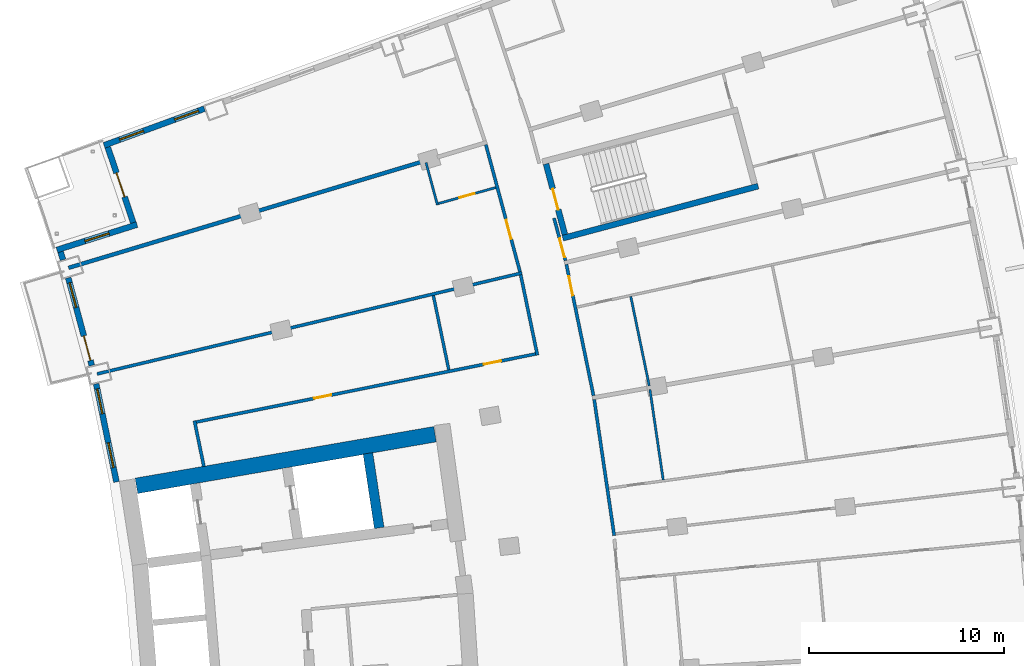
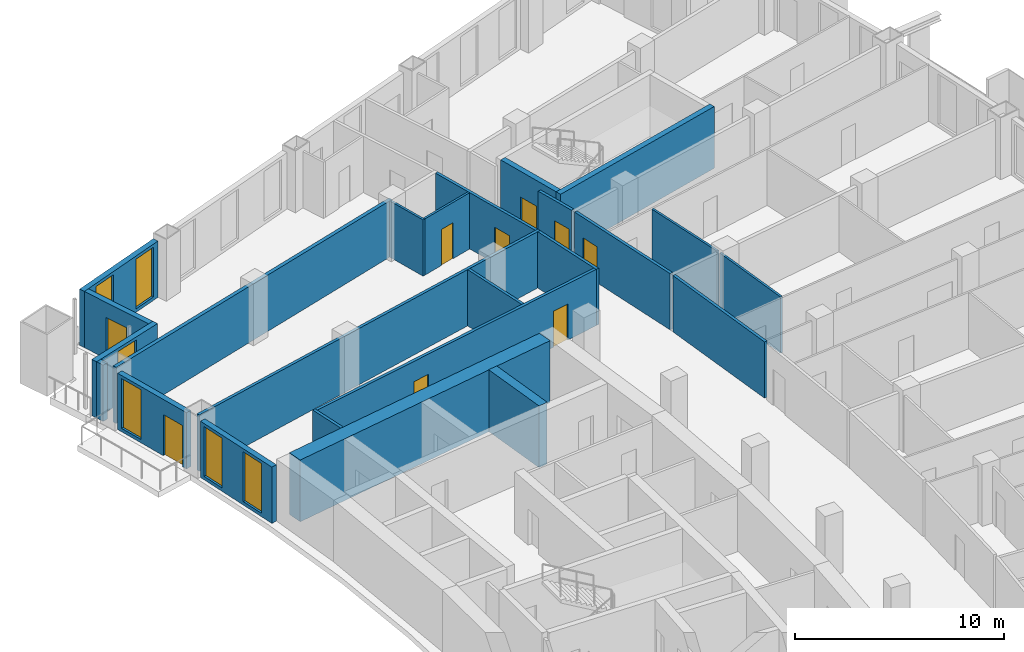
# One storey, part 19 of 25: 24 walls, 9 doors, 6 windows, 15 openings.
"""IFC4 building model written with IfcOpenShell, lengths in metres."""

from ifc_helpers import new_model, si_unit, direction, frame, frame_2d, origin, place, context, subcontext, project, spatial, rectangle, extrude, material, layer, layer_set, type_object, element, fill, save


model = new_model("IFC4")

# Units and contexts
model_context = context("Model", 3, precision=1e-05, world=origin(), true_north=direction((0.0, 1.0)))
body_context = subcontext(model_context, "Body", "Model", "MODEL_VIEW")
ifc_project = project(units=[si_unit("LENGTHUNIT", "METRE"), si_unit("AREAUNIT", "SQUARE_METRE"), si_unit("VOLUMEUNIT", "CUBIC_METRE"), si_unit("PLANEANGLEUNIT", "RADIAN"), si_unit("MASSUNIT", "GRAM", prefix="KILO")], contexts=[model_context])

# Site, building, storey
site_placement = place(None, origin())
site = spatial("IfcSite", under=ifc_project, at=site_placement, CompositionType="ELEMENT")
building_placement = place(site_placement, origin())
building = spatial("IfcBuilding", under=site, at=building_placement, Name="Alderwake Tower", CompositionType="ELEMENT")
storey_placement = place(building_placement, frame((0.0, 0.0, 86.0)))
storey = spatial("IfcBuildingStorey", under=building, at=storey_placement, Name="L20", CompositionType="ELEMENT", Elevation=86.0)

# Walls
ifc_material_1 = material(Name="Concrete C70/85", Category="concrete")
ifc_layer_1 = layer(ifc_material_1, 0.800048828125)
ifc_layer_set_1 = layer_set([ifc_layer_1], Name="Core wall outer 800 C70-85")
wall_type_1 = type_object("IfcWallType", Name="Core wall outer 800 C70-85", PredefinedType="SHEAR", material=ifc_layer_set_1)
wall_1_placement = place(storey_placement, frame((15.900146484375, 77.577880859375, 0.0), z_axis=(0.0, 0.0, 1.0), x_axis=(0.985386601125, 0.170332751763, 0.0)))
element("IfcWall", 1, at=wall_1_placement, inside=storey, type_object=wall_type_1, Name="Core wall CW.054", PredefinedType="SHEAR", context=body_context, shape_type="SweptSolid", body=[
    extrude(rectangle(XDim=15.531494140625, YDim=0.800048828125, at=frame_2d((7.765625, 0.0))), origin(), (0.0, 0.0, 1.0), 3.60009765625),
])
ifc_material_2 = material(Name="Concrete C70/85", Category="concrete")
ifc_layer_2 = layer(ifc_material_2, 0.5)
ifc_layer_set_2 = layer_set([ifc_layer_2], Name="Core wall spine 500 C70-85")
wall_type_2 = type_object("IfcWallType", Name="Core wall spine 500 C70-85", PredefinedType="SHEAR", material=ifc_layer_set_2)
wall_2_placement = place(storey_placement, frame((28.34423828125, 75.4228515625, 0.0), z_axis=(0.0, 0.0, 1.0), x_axis=(-0.14943460482, 0.988771611082, 0.0)))
element("IfcWall", 2, at=wall_2_placement, inside=storey, type_object=wall_type_2, Name="Core wall CW.001", PredefinedType="SHEAR", context=body_context, shape_type="SweptSolid", body=[
    extrude(rectangle(XDim=3.8623046875, YDim=0.5, at=frame_2d((1.93115234375, 0.0))), origin(), (0.0, 0.0, 1.0), 3.60009765625),
])
ifc_material_3 = material(Name="Concrete C70/85", Category="concrete")
ifc_layer_3 = layer(ifc_material_3, 0.300048828125)
ifc_layer_set_3 = layer_set([ifc_layer_3], Name="Core wall stair enclosure 300 C70-85")
wall_type_3 = type_object("IfcWallType", Name="Core wall stair enclosure 300 C70-85", PredefinedType="SHEAR", material=ifc_layer_set_3)
wall_3_placement = place(storey_placement, frame((37.75390625, 90.268798828125, 0.0), z_axis=(0.0, 0.0, 1.0), x_axis=(0.966309214305, 0.257383958996, 0.0)))
element("IfcWall", 3, at=wall_3_placement, inside=storey, type_object=wall_type_3, Name="Core wall CW.084", PredefinedType="SHEAR", context=body_context, shape_type="SweptSolid", body=[
    extrude(rectangle(XDim=10.360107421875, YDim=0.300048828125, at=frame_2d((5.18017578125, 0.0))), origin(), (0.0, 0.0, 1.0), 3.60009765625),
])

# Wall, opening, door
wall_4_placement = place(storey_placement, frame((37.8603515625, 90.452392578125, 0.0), z_axis=(0.0, 0.0, 1.0), x_axis=(-0.257411420208, 0.966301899381, 0.0)))
wall_4 = element("IfcWall", 4, at=wall_4_placement, inside=storey, type_object=wall_type_3, Name="Core wall CW.083", PredefinedType="SHEAR", context=body_context, shape_type="SweptSolid", body=[
    extrude(rectangle(XDim=3.750244140625, YDim=0.300048828125, at=frame_2d((1.875, 0.0))), origin(), (0.0, 0.0, 1.0), 3.60009765625),
])
opening_1_placement = place(wall_4_placement, frame((1.324951171875, 0.0, 0.0)))
opening_1 = element("IfcOpeningElement", 5, at=opening_1_placement, cuts=wall_4, Name="Opening C062", PredefinedType="OPENING", context=body_context, shape_type="SweptSolid", body=[
    extrude(rectangle(XDim=1.10009765625, YDim=2.10009765625, at=frame_2d((0.550048828125, 1.050048828125))), frame((0.0, 0.159912109375, 0.0), z_axis=(0.0, -1.0, 0.0), x_axis=(1.0, 0.0, 0.0)), (0.0, 0.0, 1.0), 0.320068359375),
])
ifc_material_4 = material(Name="Steel-framed fire door leaf", Category="steel")
door_type_1 = type_object("IfcDoorType", Name="Core stair door 1100 fire-rated", OperationType="SINGLE_SWING_LEFT", PredefinedType="DOOR", material=ifc_material_4)
door_1_placement = place(opening_1_placement, origin())
door_1 = element("IfcDoor", 6, at=door_1_placement, inside=storey, type_object=door_type_1, Name="Stair door", OperationType="SINGLE_SWING_LEFT", OverallHeight=2.10009765625, OverallWidth=1.10009765625, PredefinedType="DOOR", context=body_context, shape_type="SweptSolid", body=[
    extrude(rectangle(XDim=1.10009765625, YDim=2.10009765625, at=frame_2d((0.550048828125, 1.050048828125))), frame((0.0, 0.02490234375, 0.0), z_axis=(0.0, -1.0, 0.0), x_axis=(1.0, 0.0, 0.0)), (0.0, 0.0, 1.0), 0.050048828125),
])
fill(opening_1, door_1)

# Walls
ifc_material_5 = material(Name="Gypsum board on metal studs, rated")
ifc_layer_4 = layer(ifc_material_5, 0.159912109375)
ifc_layer_set_4 = layer_set([ifc_layer_4], Name="Corridor wall 160")
wall_type_4 = type_object("IfcWallType", Name="Corridor wall 160", PredefinedType="PARTITIONING", material=ifc_layer_set_4)
wall_5_placement = place(storey_placement, frame((13.884033203125, 83.31298828125, 0.0), z_axis=(0.0, 0.0, 1.0), x_axis=(0.972893462073, 0.231253781493, 0.0)))
element("IfcWall", 7, at=wall_5_placement, inside=storey, type_object=wall_type_4, Name="WL/L20/W16", PredefinedType="PARTITIONING", context=body_context, shape_type="SweptSolid", body=[
    extrude(rectangle(XDim=22.38037109375, YDim=0.159912109375, at=frame_2d((11.190185546875, 0.0))), origin(), (0.0, 0.0, 1.0), 3.280029296875),
])
wall_6_placement = place(storey_placement, frame((18.874755859375, 80.910400390625, 0.0), z_axis=(0.0, 0.0, 1.0), x_axis=(0.202312089075, -0.979321100873, 0.0)))
element("IfcWall", 8, at=wall_6_placement, inside=storey, type_object=wall_type_4, Name="WL/L20/W18", PredefinedType="PARTITIONING", context=body_context, shape_type="SweptSolid", body=[
    extrude(rectangle(XDim=2.39306640625, YDim=0.159912109375, at=frame_2d((1.196533203125, 0.0))), origin(), (0.0, 0.0, 1.0), 3.280029296875),
])

# Wall, opening, door
wall_7_placement = place(storey_placement, frame((35.55908203125, 88.54736328125, 0.0), z_axis=(0.0, 0.0, 1.0), x_axis=(-0.259373900693, 0.965776982351, 0.0)))
wall_7 = element("IfcWall", 9, at=wall_7_placement, inside=storey, type_object=wall_type_4, Name="WL/L20/W23", PredefinedType="PARTITIONING", context=body_context, shape_type="SweptSolid", body=[
    extrude(rectangle(XDim=6.7470703125, YDim=0.159912109375, at=frame_2d((3.37353515625, 0.0))), origin(), (0.0, 0.0, 1.0), 3.280029296875),
])
opening_2_placement = place(wall_7_placement, frame((1.74609375, 0.0, 0.0)))
opening_2 = element("IfcOpeningElement", 10, at=opening_2_placement, cuts=wall_7, Name="Opening R05-U11.1", PredefinedType="OPENING", context=body_context, shape_type="SweptSolid", body=[
    extrude(rectangle(XDim=1.0, YDim=2.10009765625, at=frame_2d((0.5, 1.050048828125))), frame((0.0, 0.08984375, 0.0), z_axis=(0.0, -1.0, 0.0), x_axis=(1.0, 0.0, 0.0)), (0.0, 0.0, 1.0), 0.179931640625),
])
ifc_material_6 = material(Name="Solid timber leaf in steel frame", Category="steel")
door_type_2 = type_object("IfcDoorType", Name="Flat entrance door 1000 fire-rated", OperationType="SINGLE_SWING_LEFT", PredefinedType="DOOR", material=ifc_material_6)
door_2_placement = place(opening_2_placement, origin())
door_2 = element("IfcDoor", 11, at=door_2_placement, inside=storey, type_object=door_type_2, Name="DR/L20/U11.1", OperationType="SINGLE_SWING_LEFT", OverallHeight=2.10009765625, OverallWidth=1.0, PredefinedType="DOOR", context=body_context, shape_type="SweptSolid", body=[
    extrude(rectangle(XDim=1.0, YDim=2.10009765625, at=frame_2d((0.5, 1.050048828125))), frame((0.0, 0.02490234375, 0.0), z_axis=(0.0, -1.0, 0.0), x_axis=(1.0, 0.0, 0.0)), (0.0, 0.0, 1.0), 0.050048828125),
])
fill(opening_2, door_2)

# Wall
wall_8_placement = place(storey_placement, frame((35.59619140625, 88.3916015625, 0.0), z_axis=(0.0, 0.0, 1.0), x_axis=(0.20329833965, -0.979116839348, 0.0)))
element("IfcWall", 12, at=wall_8_placement, inside=storey, type_object=wall_type_4, Name="WL/L20/W25", PredefinedType="PARTITIONING", context=body_context, shape_type="SweptSolid", body=[
    extrude(rectangle(XDim=4.206787109375, YDim=0.159912109375, at=frame_2d((2.103515625, 0.0))), origin(), (0.0, 0.0, 1.0), 3.280029296875),
])

# Wall, openings, doors
wall_9_placement = place(storey_placement, frame((18.969482421875, 80.84765625, 0.0), z_axis=(0.0, 0.0, 1.0), x_axis=(0.980470914622, 0.196664144112, 0.0)))
wall_9 = element("IfcWall", 13, at=wall_9_placement, inside=storey, type_object=wall_type_4, Name="WL/L20/W29", PredefinedType="PARTITIONING", context=body_context, shape_type="SweptSolid", body=[
    extrude(rectangle(XDim=17.733642578125, YDim=0.159912109375, at=frame_2d((8.86669921875, 0.0))), origin(), (0.0, 0.0, 1.0), 3.280029296875),
])
opening_3_placement = place(wall_9_placement, frame((6.156982421875, 0.0, 0.0)))
opening_3 = element("IfcOpeningElement", 14, at=opening_3_placement, cuts=wall_9, Name="Opening R05-SBN1", PredefinedType="OPENING", context=body_context, shape_type="SweptSolid", body=[
    extrude(rectangle(XDim=0.89990234375, YDim=2.10009765625, at=frame_2d((0.449951171875, 1.050048828125))), frame((0.0, 0.08984375, 0.0), z_axis=(0.0, -1.0, 0.0), x_axis=(1.0, 0.0, 0.0)), (0.0, 0.0, 1.0), 0.179931640625),
])
opening_4_placement = place(wall_9_placement, frame((15.0234375, 0.0, 0.0)))
opening_4 = element("IfcOpeningElement", 15, at=opening_4_placement, cuts=wall_9, Name="Opening R05-SBN2", PredefinedType="OPENING", context=body_context, shape_type="SweptSolid", body=[
    extrude(rectangle(XDim=0.89990234375, YDim=2.10009765625, at=frame_2d((0.449951171875, 1.050048828125))), frame((0.0, 0.08984375, 0.0), z_axis=(0.0, -1.0, 0.0), x_axis=(1.0, 0.0, 0.0)), (0.0, 0.0, 1.0), 0.179931640625),
])
ifc_material_7 = material(Name="Painted timber leaf", Category="wood")
door_type_3 = type_object("IfcDoorType", Name="Room door 900", OperationType="SINGLE_SWING_LEFT", PredefinedType="DOOR", material=ifc_material_7)
door_3_placement = place(opening_3_placement, origin())
door_3 = element("IfcDoor", 16, at=door_3_placement, inside=storey, type_object=door_type_3, Name="DR/L20/SBN1", OperationType="SINGLE_SWING_LEFT", OverallHeight=2.10009765625, OverallWidth=0.89990234375, PredefinedType="DOOR", context=body_context, shape_type="SweptSolid", body=[
    extrude(rectangle(XDim=0.89990234375, YDim=2.10009765625, at=frame_2d((0.449951171875, 1.050048828125))), frame((0.0, 0.02490234375, 0.0), z_axis=(0.0, -1.0, 0.0), x_axis=(1.0, 0.0, 0.0)), (0.0, 0.0, 1.0), 0.050048828125),
])
fill(opening_3, door_3)
door_4_placement = place(opening_4_placement, origin())
door_4 = element("IfcDoor", 17, at=door_4_placement, inside=storey, type_object=door_type_3, Name="DR/L20/SBN2", OperationType="SINGLE_SWING_LEFT", OverallHeight=2.10009765625, OverallWidth=0.89990234375, PredefinedType="DOOR", context=body_context, shape_type="SweptSolid", body=[
    extrude(rectangle(XDim=0.89990234375, YDim=2.10009765625, at=frame_2d((0.449951171875, 1.050048828125))), frame((0.0, 0.02490234375, 0.0), z_axis=(0.0, -1.0, 0.0), x_axis=(1.0, 0.0, 0.0)), (0.0, 0.0, 1.0), 0.050048828125),
])
fill(opening_4, door_4)

# Wall, opening, door
wall_10_placement = place(storey_placement, frame((37.304931640625, 91.299072265625, 0.0), z_axis=(0.0, 0.0, 1.0), x_axis=(0.259946294884, -0.965623075416, 0.0)))
wall_10 = element("IfcWall", 18, at=wall_10_placement, inside=storey, type_object=wall_type_4, Name="WL/L20/W33", PredefinedType="PARTITIONING", context=body_context, shape_type="SweptSolid", body=[
    extrude(rectangle(XDim=2.255126953125, YDim=0.159912109375, at=frame_2d((1.12744140625, 0.0))), origin(), (0.0, 0.0, 1.0), 3.280029296875),
])
opening_5_placement = place(wall_10_placement, frame((1.083984375, 0.0, 0.0)))
opening_5 = element("IfcOpeningElement", 19, at=opening_5_placement, cuts=wall_10, Name="Opening R05-U02.1", PredefinedType="OPENING", context=body_context, shape_type="SweptSolid", body=[
    extrude(rectangle(XDim=1.0, YDim=2.10009765625, at=frame_2d((0.5, 1.050048828125))), frame((0.0, 0.08984375, 0.0), z_axis=(0.0, -1.0, 0.0), x_axis=(1.0, 0.0, 0.0)), (0.0, 0.0, 1.0), 0.179931640625),
])
door_5_placement = place(opening_5_placement, origin())
door_5 = element("IfcDoor", 20, at=door_5_placement, inside=storey, type_object=door_type_2, Name="DR/L20/U02.1", OperationType="SINGLE_SWING_LEFT", OverallHeight=2.10009765625, OverallWidth=1.0, PredefinedType="DOOR", context=body_context, shape_type="SweptSolid", body=[
    extrude(rectangle(XDim=1.0, YDim=2.10009765625, at=frame_2d((0.5, 1.050048828125))), frame((0.0, 0.02490234375, 0.0), z_axis=(0.0, -1.0, 0.0), x_axis=(1.0, 0.0, 0.0)), (0.0, 0.0, 1.0), 0.050048828125),
])
fill(opening_5, door_5)

wall_11_placement = place(storey_placement, frame((37.937255859375, 88.927001953125, 0.0), z_axis=(0.0, 0.0, 1.0), x_axis=(0.20241288737, -0.979300272147, 0.0)))
wall_11 = element("IfcWall", 21, at=wall_11_placement, inside=storey, type_object=wall_type_4, Name="WL/L20/W35", PredefinedType="PARTITIONING", context=body_context, shape_type="SweptSolid", body=[
    extrude(rectangle(XDim=6.870361328125, YDim=0.159912109375, at=frame_2d((3.43505859375, 0.0))), origin(), (0.0, 0.0, 1.0), 3.280029296875),
])
opening_6_placement = place(wall_11_placement, frame((0.62841796875, 0.0, 0.0)))
opening_6 = element("IfcOpeningElement", 22, at=opening_6_placement, cuts=wall_11, Name="Opening R05-U08.2", PredefinedType="OPENING", context=body_context, shape_type="SweptSolid", body=[
    extrude(rectangle(XDim=1.0, YDim=2.10009765625, at=frame_2d((0.5, 1.050048828125))), frame((0.0, 0.08984375, 0.0), z_axis=(0.0, -1.0, 0.0), x_axis=(1.0, 0.0, 0.0)), (0.0, 0.0, 1.0), 0.179931640625),
])
door_6_placement = place(opening_6_placement, origin())
door_6 = element("IfcDoor", 23, at=door_6_placement, inside=storey, type_object=door_type_2, Name="DR/L20/U08.2", OperationType="SINGLE_SWING_LEFT", OverallHeight=2.10009765625, OverallWidth=1.0, PredefinedType="DOOR", context=body_context, shape_type="SweptSolid", body=[
    extrude(rectangle(XDim=1.0, YDim=2.10009765625, at=frame_2d((0.5, 1.050048828125))), frame((0.0, 0.02490234375, 0.0), z_axis=(0.0, -1.0, 0.0), x_axis=(1.0, 0.0, 0.0)), (0.0, 0.0, 1.0), 0.050048828125),
])
fill(opening_6, door_6)

# Walls
wall_12_placement = place(storey_placement, frame((40.388671875, 75.02880859375, 0.0), z_axis=(0.0, 0.0, 1.0), x_axis=(-0.145585733575, 0.98934563939, 0.0)))
element("IfcWall", 24, at=wall_12_placement, inside=storey, type_object=wall_type_4, Name="WL/L20/W37", PredefinedType="PARTITIONING", context=body_context, shape_type="SweptSolid", body=[
    extrude(rectangle(XDim=7.04833984375, YDim=0.159912109375, at=frame_2d((3.524169921875, 0.0))), origin(), (0.0, 0.0, 1.0), 3.280029296875),
])
ifc_material_8 = material(Name="Precast concrete C50/60 spandrel panel", Category="concrete")
ifc_layer_5 = layer(ifc_material_8, 0.300048828125)
ifc_layer_set_5 = layer_set([ifc_layer_5], Name="External wall EW1 Precast concrete C50/60 spandrel")
wall_type_5 = type_object("IfcWallType", Name="External wall EW1 Precast concrete C50/60 spandrel", PredefinedType="SOLIDWALL", material=ifc_layer_set_5)
wall_13_placement = place(storey_placement, frame((12.01416015625, 89.5703125, 0.0), z_axis=(0.0, 0.0, 1.0), x_axis=(0.294567190983, -0.955630770746, 0.0)))
element("IfcWall", 25, at=wall_13_placement, inside=storey, type_object=wall_type_5, Name="External wall 32", PredefinedType="SOLIDWALL", context=body_context, shape_type="SweptSolid", body=[
    extrude(rectangle(XDim=0.427734375, YDim=0.300048828125, at=frame_2d((0.2138671875, 0.0))), origin(), (0.0, 0.0, 1.0), 3.280029296875),
])

# Wall, openings, door, window
wall_14_placement = place(storey_placement, frame((12.406494140625, 88.237548828125, 0.0), z_axis=(0.0, 0.0, 1.0), x_axis=(0.259468933642, -0.965751454814, 0.0)))
wall_14 = element("IfcWall", 26, at=wall_14_placement, inside=storey, type_object=wall_type_5, Name="External wall 33", PredefinedType="SOLIDWALL", context=body_context, shape_type="SweptSolid", body=[
    extrude(rectangle(XDim=4.65087890625, YDim=0.300048828125, at=frame_2d((2.325439453125, 0.0))), origin(), (0.0, 0.0, 1.0), 3.280029296875),
])
opening_7_placement = place(wall_14_placement, frame((0.26708984375, 0.0, 0.199951171875)))
opening_7 = element("IfcOpeningElement", 27, at=opening_7_placement, cuts=wall_14, Name="Opening W1", PredefinedType="OPENING", context=body_context, shape_type="SweptSolid", body=[
    extrude(rectangle(XDim=1.300048828125, YDim=2.89990234375, at=frame_2d((0.64990234375, 1.449951171875))), frame((0.0, 0.159912109375, 0.0), z_axis=(0.0, -1.0, 0.0), x_axis=(1.0, 0.0, 0.0)), (0.0, 0.0, 1.0), 0.320068359375),
])
opening_8_placement = place(wall_14_placement, frame((3.083984375, 0.0, 0.0)))
opening_8 = element("IfcOpeningElement", 28, at=opening_8_placement, cuts=wall_14, Name="Opening D14", PredefinedType="OPENING", context=body_context, shape_type="SweptSolid", body=[
    extrude(rectangle(XDim=1.300048828125, YDim=2.39990234375, at=frame_2d((0.64990234375, 1.199951171875))), frame((0.0, 0.159912109375, 0.0), z_axis=(0.0, -1.0, 0.0), x_axis=(1.0, 0.0, 0.0)), (0.0, 0.0, 1.0), 0.320068359375),
])
ifc_material_9 = material(Name="Bronze tinted glass in aluminium frame", Category="aluminium")
door_type_4 = type_object("IfcDoorType", Name="Balcony door BD sliding", OperationType="SLIDING_TO_LEFT", PredefinedType="DOOR", material=ifc_material_9)
door_7_placement = place(opening_8_placement, origin())
door_7 = element("IfcDoor", 29, at=door_7_placement, inside=storey, type_object=door_type_4, Name="Door D14", OperationType="SLIDING_TO_LEFT", OverallHeight=2.39990234375, OverallWidth=1.300048828125, PredefinedType="DOOR", context=body_context, shape_type="SweptSolid", body=[
    extrude(rectangle(XDim=1.300048828125, YDim=2.39990234375, at=frame_2d((0.64990234375, 1.199951171875))), frame((0.0, 0.02490234375, 0.0), z_axis=(0.0, -1.0, 0.0), x_axis=(1.0, 0.0, 0.0)), (0.0, 0.0, 1.0), 0.050048828125),
])
fill(opening_8, door_7)
ifc_material_10 = material(Name="Bronze tinted glass in aluminium frame", Category="aluminium")
window_type = type_object("IfcWindowType", Name="Window W1 tall fixed and vent", PartitioningType="DOUBLE_PANEL_VERTICAL", PredefinedType="WINDOW", material=ifc_material_10)
window_1_placement = place(opening_7_placement, origin())
window_1 = element("IfcWindow", 30, at=window_1_placement, inside=storey, type_object=window_type, Name="Window W1 tall fixed and vent", OverallHeight=2.89990234375, OverallWidth=1.300048828125, PartitioningType="DOUBLE_PANEL_VERTICAL", PredefinedType="WINDOW", context=body_context, shape_type="SweptSolid", body=[
    extrude(rectangle(XDim=1.300048828125, YDim=2.89990234375, at=frame_2d((0.64990234375, 1.449951171875))), frame((0.0, 0.030029296875, 0.0), z_axis=(0.0, -1.0, 0.0), x_axis=(1.0, 0.0, 0.0)), (0.0, 0.0, 1.0), 0.06005859375),
])
fill(opening_7, window_1)

# Wall, openings, windows
wall_15_placement = place(storey_placement, frame((13.83740234375, 82.803955078125, 0.0), z_axis=(0.0, 0.0, 1.0), x_axis=(0.202723539143, -0.979236011734, 0.0)))
wall_15 = element("IfcWall", 31, at=wall_15_placement, inside=storey, type_object=wall_type_5, Name="External wall 34", PredefinedType="SOLIDWALL", context=body_context, shape_type="SweptSolid", body=[
    extrude(rectangle(XDim=5.134033203125, YDim=0.300048828125, at=frame_2d((2.56689453125, 0.0))), origin(), (0.0, 0.0, 1.0), 3.280029296875),
])
opening_9_placement = place(wall_15_placement, frame((0.264892578125, 0.0, 0.199951171875)))
opening_9 = element("IfcOpeningElement", 32, at=opening_9_placement, cuts=wall_15, Name="Opening W1", PredefinedType="OPENING", context=body_context, shape_type="SweptSolid", body=[
    extrude(rectangle(XDim=1.300048828125, YDim=2.89990234375, at=frame_2d((0.64990234375, 1.449951171875))), frame((0.0, 0.159912109375, 0.0), z_axis=(0.0, -1.0, 0.0), x_axis=(1.0, 0.0, 0.0)), (0.0, 0.0, 1.0), 0.320068359375),
])
opening_10_placement = place(wall_15_placement, frame((3.077392578125, 0.0, 0.199951171875)))
opening_10 = element("IfcOpeningElement", 33, at=opening_10_placement, cuts=wall_15, Name="Opening W1", PredefinedType="OPENING", context=body_context, shape_type="SweptSolid", body=[
    extrude(rectangle(XDim=1.300048828125, YDim=2.89990234375, at=frame_2d((0.64990234375, 1.449951171875))), frame((0.0, 0.159912109375, 0.0), z_axis=(0.0, -1.0, 0.0), x_axis=(1.0, 0.0, 0.0)), (0.0, 0.0, 1.0), 0.320068359375),
])
window_2_placement = place(opening_9_placement, origin())
window_2 = element("IfcWindow", 34, at=window_2_placement, inside=storey, type_object=window_type, Name="Window W1 tall fixed and vent", OverallHeight=2.89990234375, OverallWidth=1.300048828125, PartitioningType="DOUBLE_PANEL_VERTICAL", PredefinedType="WINDOW", context=body_context, shape_type="SweptSolid", body=[
    extrude(rectangle(XDim=1.300048828125, YDim=2.89990234375, at=frame_2d((0.64990234375, 1.449951171875))), frame((0.0, 0.030029296875, 0.0), z_axis=(0.0, -1.0, 0.0), x_axis=(1.0, 0.0, 0.0)), (0.0, 0.0, 1.0), 0.06005859375),
])
fill(opening_9, window_2)
window_3_placement = place(opening_10_placement, origin())
window_3 = element("IfcWindow", 35, at=window_3_placement, inside=storey, type_object=window_type, Name="Window W1 tall fixed and vent", OverallHeight=2.89990234375, OverallWidth=1.300048828125, PartitioningType="DOUBLE_PANEL_VERTICAL", PredefinedType="WINDOW", context=body_context, shape_type="SweptSolid", body=[
    extrude(rectangle(XDim=1.300048828125, YDim=2.89990234375, at=frame_2d((0.64990234375, 1.449951171875))), frame((0.0, 0.030029296875, 0.0), z_axis=(0.0, -1.0, 0.0), x_axis=(1.0, 0.0, 0.0)), (0.0, 0.0, 1.0), 0.06005859375),
])
fill(opening_10, window_3)

ifc_material_11 = material(Name="Bronze metal cladding on lightweight framing")
ifc_layer_6 = layer(ifc_material_11, 0.300048828125)
ifc_layer_set_6 = layer_set([ifc_layer_6], Name="External wall EW2 bronze metal cladding")
wall_type_6 = type_object("IfcWallType", Name="External wall EW2 bronze metal cladding", PredefinedType="SOLIDWALL", material=ifc_layer_set_6)
wall_16_placement = place(storey_placement, frame((19.38427734375, 96.905517578125, 0.0), z_axis=(0.0, 0.0, 1.0), x_axis=(-0.939366897407, -0.342913738506, 0.0)))
wall_16 = element("IfcWall", 36, at=wall_16_placement, inside=storey, type_object=wall_type_6, Name="External wall 29", PredefinedType="SOLIDWALL", context=body_context, shape_type="SweptSolid", body=[
    extrude(rectangle(XDim=5.474365234375, YDim=0.300048828125, at=frame_2d((2.7373046875, 0.0))), origin(), (0.0, 0.0, 1.0), 3.280029296875),
])
opening_11_placement = place(wall_16_placement, frame((0.322998046875, 0.0, 0.199951171875)))
opening_11 = element("IfcOpeningElement", 37, at=opening_11_placement, cuts=wall_16, Name="Opening W1", PredefinedType="OPENING", context=body_context, shape_type="SweptSolid", body=[
    extrude(rectangle(XDim=1.300048828125, YDim=2.89990234375, at=frame_2d((0.64990234375, 1.449951171875))), frame((0.0, 0.159912109375, 0.0), z_axis=(0.0, -1.0, 0.0), x_axis=(1.0, 0.0, 0.0)), (0.0, 0.0, 1.0), 0.320068359375),
])
opening_12_placement = place(wall_16_placement, frame((3.32373046875, 0.0, 0.199951171875)))
opening_12 = element("IfcOpeningElement", 38, at=opening_12_placement, cuts=wall_16, Name="Opening W1", PredefinedType="OPENING", context=body_context, shape_type="SweptSolid", body=[
    extrude(rectangle(XDim=1.300048828125, YDim=2.89990234375, at=frame_2d((0.64990234375, 1.449951171875))), frame((0.0, 0.159912109375, 0.0), z_axis=(0.0, -1.0, 0.0), x_axis=(1.0, 0.0, 0.0)), (0.0, 0.0, 1.0), 0.320068359375),
])
window_4_placement = place(opening_11_placement, origin())
window_4 = element("IfcWindow", 39, at=window_4_placement, inside=storey, type_object=window_type, Name="Window W1 tall fixed and vent", OverallHeight=2.89990234375, OverallWidth=1.300048828125, PartitioningType="DOUBLE_PANEL_VERTICAL", PredefinedType="WINDOW", context=body_context, shape_type="SweptSolid", body=[
    extrude(rectangle(XDim=1.300048828125, YDim=2.89990234375, at=frame_2d((0.64990234375, 1.449951171875))), frame((0.0, 0.030029296875, 0.0), z_axis=(0.0, -1.0, 0.0), x_axis=(1.0, 0.0, 0.0)), (0.0, 0.0, 1.0), 0.06005859375),
])
fill(opening_11, window_4)
window_5_placement = place(opening_12_placement, origin())
window_5 = element("IfcWindow", 40, at=window_5_placement, inside=storey, type_object=window_type, Name="Window W1 tall fixed and vent", OverallHeight=2.89990234375, OverallWidth=1.300048828125, PartitioningType="DOUBLE_PANEL_VERTICAL", PredefinedType="WINDOW", context=body_context, shape_type="SweptSolid", body=[
    extrude(rectangle(XDim=1.300048828125, YDim=2.89990234375, at=frame_2d((0.64990234375, 1.449951171875))), frame((0.0, 0.030029296875, 0.0), z_axis=(0.0, -1.0, 0.0), x_axis=(1.0, 0.0, 0.0)), (0.0, 0.0, 1.0), 0.06005859375),
])
fill(opening_12, window_5)

# Wall, opening, door
wall_17_placement = place(storey_placement, frame((14.430908203125, 94.937744140625, 0.0), z_axis=(0.0, 0.0, 1.0), x_axis=(0.320379458656, -0.947289291859, 0.0)))
wall_17 = element("IfcWall", 41, at=wall_17_placement, inside=storey, type_object=wall_type_6, Name="External wall 30", PredefinedType="SOLIDWALL", context=body_context, shape_type="SweptSolid", body=[
    extrude(rectangle(XDim=4.08984375, YDim=0.300048828125, at=frame_2d((2.044921875, 0.0))), origin(), (0.0, 0.0, 1.0), 3.280029296875),
])
opening_13_placement = place(wall_17_placement, frame((1.39501953125, 0.0, 0.0)))
opening_13 = element("IfcOpeningElement", 42, at=opening_13_placement, cuts=wall_17, Name="Opening D13", PredefinedType="OPENING", context=body_context, shape_type="SweptSolid", body=[
    extrude(rectangle(XDim=1.300048828125, YDim=2.39990234375, at=frame_2d((0.64990234375, 1.199951171875))), frame((0.0, 0.159912109375, 0.0), z_axis=(0.0, -1.0, 0.0), x_axis=(1.0, 0.0, 0.0)), (0.0, 0.0, 1.0), 0.320068359375),
])
door_8_placement = place(opening_13_placement, origin())
door_8 = element("IfcDoor", 43, at=door_8_placement, inside=storey, type_object=door_type_4, Name="Door D13", OperationType="SLIDING_TO_LEFT", OverallHeight=2.39990234375, OverallWidth=1.300048828125, PredefinedType="DOOR", context=body_context, shape_type="SweptSolid", body=[
    extrude(rectangle(XDim=1.300048828125, YDim=2.39990234375, at=frame_2d((0.64990234375, 1.199951171875))), frame((0.0, 0.02490234375, 0.0), z_axis=(0.0, -1.0, 0.0), x_axis=(1.0, 0.0, 0.0)), (0.0, 0.0, 1.0), 0.050048828125),
])
fill(opening_13, door_8)

# Wall, opening, window
wall_18_placement = place(storey_placement, frame((15.932373046875, 90.966552734375, 0.0), z_axis=(0.0, 0.0, 1.0), x_axis=(-0.953473772386, -0.301475978103, 0.0)))
wall_18 = element("IfcWall", 44, at=wall_18_placement, inside=storey, type_object=wall_type_6, Name="External wall 31", PredefinedType="SOLIDWALL", context=body_context, shape_type="SweptSolid", body=[
    extrude(rectangle(XDim=4.305908203125, YDim=0.300048828125, at=frame_2d((2.15283203125, 0.0))), origin(), (0.0, 0.0, 1.0), 3.280029296875),
])
opening_14_placement = place(wall_18_placement, frame((1.5029296875, 0.0, 0.199951171875)))
opening_14 = element("IfcOpeningElement", 45, at=opening_14_placement, cuts=wall_18, Name="Opening W1", PredefinedType="OPENING", context=body_context, shape_type="SweptSolid", body=[
    extrude(rectangle(XDim=1.300048828125, YDim=2.89990234375, at=frame_2d((0.64990234375, 1.449951171875))), frame((0.0, 0.159912109375, 0.0), z_axis=(0.0, -1.0, 0.0), x_axis=(1.0, 0.0, 0.0)), (0.0, 0.0, 1.0), 0.320068359375),
])
window_6_placement = place(opening_14_placement, origin())
window_6 = element("IfcWindow", 46, at=window_6_placement, inside=storey, type_object=window_type, Name="Window W1 tall fixed and vent", OverallHeight=2.89990234375, OverallWidth=1.300048828125, PartitioningType="DOUBLE_PANEL_VERTICAL", PredefinedType="WINDOW", context=body_context, shape_type="SweptSolid", body=[
    extrude(rectangle(XDim=1.300048828125, YDim=2.89990234375, at=frame_2d((0.64990234375, 1.449951171875))), frame((0.0, 0.030029296875, 0.0), z_axis=(0.0, -1.0, 0.0), x_axis=(1.0, 0.0, 0.0)), (0.0, 0.0, 1.0), 0.06005859375),
])
fill(opening_14, window_6)

# Walls
ifc_material_12 = material(Name="Dense block masonry wall", Category="masonry")
ifc_layer_7 = layer(ifc_material_12, 0.199951171875)
ifc_layer_set_7 = layer_set([ifc_layer_7], Name="Party wall 200")
wall_type_7 = type_object("IfcWallType", Name="Party wall 200", PredefinedType="SOLIDWALL", material=ifc_layer_set_7)
wall_19_placement = place(storey_placement, frame((30.812744140625, 94.270751953125, 0.0), z_axis=(0.0, 0.0, 1.0), x_axis=(-0.957756965565, -0.287578849904, 0.0)))
element("IfcWall", 47, at=wall_19_placement, inside=storey, type_object=wall_type_7, Name="WL/L20/W01", PredefinedType="SOLIDWALL", context=body_context, shape_type="SweptSolid", body=[
    extrude(rectangle(XDim=19.20068359375, YDim=0.199951171875, at=frame_2d((9.600341796875, 0.0))), origin(), (0.0, 0.0, 1.0), 3.280029296875),
])
ifc_material_13 = material(Name="Gypsum shaft wall system, rated")
ifc_layer_8 = layer(ifc_material_13, 0.14990234375)
ifc_layer_set_8 = layer_set([ifc_layer_8], Name="Riser and shaft wall 150")
wall_type_8 = type_object("IfcWallType", Name="Riser and shaft wall 150", PredefinedType="PARTITIONING", material=ifc_layer_set_8)
wall_20_placement = place(storey_placement, frame((31.90966796875, 83.523193359375, 0.0), z_axis=(0.0, 0.0, 1.0), x_axis=(-0.203193719272, 0.979138556308, 0.0)))
element("IfcWall", 48, at=wall_20_placement, inside=storey, type_object=wall_type_8, Name="WL/L20/W12", PredefinedType="PARTITIONING", context=body_context, shape_type="SweptSolid", body=[
    extrude(rectangle(XDim=3.884521484375, YDim=0.14990234375, at=frame_2d((1.9423828125, 0.0))), origin(), (0.0, 0.0, 1.0), 3.280029296875),
])
ifc_material_14 = material(Name="Moisture resistant gypsum board on metal studs")
ifc_layer_9 = layer(ifc_material_14, 0.1201171875)
ifc_layer_set_9 = layer_set([ifc_layer_9], Name="Wet room partition 120")
wall_type_9 = type_object("IfcWallType", Name="Wet room partition 120", PredefinedType="PARTITIONING", material=ifc_layer_set_9)
wall_21_placement = place(storey_placement, frame((30.742919921875, 94.1455078125, 0.0), z_axis=(0.0, 0.0, 1.0), x_axis=(0.260393144933, -0.965502672224, 0.0)))
element("IfcWall", 49, at=wall_21_placement, inside=storey, type_object=wall_type_9, Name="WL/L20/W46", PredefinedType="PARTITIONING", context=body_context, shape_type="SweptSolid", body=[
    extrude(rectangle(XDim=2.2529296875, YDim=0.1201171875, at=frame_2d((1.12646484375, 0.0))), origin(), (0.0, 0.0, 1.0), 3.280029296875),
])

# Wall, opening, door
wall_22_placement = place(storey_placement, frame((31.371826171875, 92.044189453125, 0.0), z_axis=(0.0, 0.0, 1.0), x_axis=(0.963351881246, 0.268240848677, 0.0)))
wall_22 = element("IfcWall", 50, at=wall_22_placement, inside=storey, type_object=wall_type_9, Name="WL/L20/W47", PredefinedType="PARTITIONING", context=body_context, shape_type="SweptSolid", body=[
    extrude(rectangle(XDim=3.05810546875, YDim=0.1201171875, at=frame_2d((1.529052734375, 0.0))), origin(), (0.0, 0.0, 1.0), 3.280029296875),
])
opening_15_placement = place(wall_22_placement, frame((1.129150390625, 0.0, 0.0)))
opening_15 = element("IfcOpeningElement", 51, at=opening_15_placement, cuts=wall_22, Name="Opening R05-U11.2", PredefinedType="OPENING", context=body_context, shape_type="SweptSolid", body=[
    extrude(rectangle(XDim=0.800048828125, YDim=2.10009765625, at=frame_2d((0.39990234375, 1.050048828125))), frame((0.0, 0.070068359375, 0.0), z_axis=(0.0, -1.0, 0.0), x_axis=(1.0, 0.0, 0.0)), (0.0, 0.0, 1.0), 0.14013671875),
])
ifc_material_15 = material(Name="Painted timber leaf", Category="wood")
door_type_5 = type_object("IfcDoorType", Name="Bathroom door 800", OperationType="SINGLE_SWING_LEFT", PredefinedType="DOOR", material=ifc_material_15)
door_9_placement = place(opening_15_placement, origin())
door_9 = element("IfcDoor", 52, at=door_9_placement, inside=storey, type_object=door_type_5, Name="DR/L20/U11.2", OperationType="SINGLE_SWING_LEFT", OverallHeight=2.10009765625, OverallWidth=0.800048828125, PredefinedType="DOOR", context=body_context, shape_type="SweptSolid", body=[
    extrude(rectangle(XDim=0.800048828125, YDim=2.10009765625, at=frame_2d((0.39990234375, 1.050048828125))), frame((0.0, 0.02490234375, 0.0), z_axis=(0.0, -1.0, 0.0), x_axis=(1.0, 0.0, 0.0)), (0.0, 0.0, 1.0), 0.050048828125),
])
fill(opening_15, door_9)

# Walls
wall_23_placement = place(storey_placement, frame((42.18359375, 82.7060546875, 0.0), z_axis=(0.0, 0.0, 1.0), x_axis=(-0.20267985984, 0.979245053301, 0.0)))
element("IfcWall", 53, at=wall_23_placement, inside=storey, type_object=wall_type_9, Name="WL/L20/W55", PredefinedType="PARTITIONING", context=body_context, shape_type="SweptSolid", body=[
    extrude(rectangle(XDim=4.6748046875, YDim=0.1201171875, at=frame_2d((2.33740234375, 0.0))), origin(), (0.0, 0.0, 1.0), 3.280029296875),
])
wall_24_placement = place(storey_placement, frame((42.898681640625, 77.881591796875, 0.0), z_axis=(0.0, 0.0, 1.0), x_axis=(-0.145424863666, 0.989369298608, 0.0)))
element("IfcWall", 54, at=wall_24_placement, inside=storey, type_object=wall_type_9, Name="WL/L20/W57", PredefinedType="PARTITIONING", context=body_context, shape_type="SweptSolid", body=[
    extrude(rectangle(XDim=4.67724609375, YDim=0.1201171875, at=frame_2d((2.338623046875, 0.0))), origin(), (0.0, 0.0, 1.0), 3.280029296875),
])

save(model, "model.ifc")
